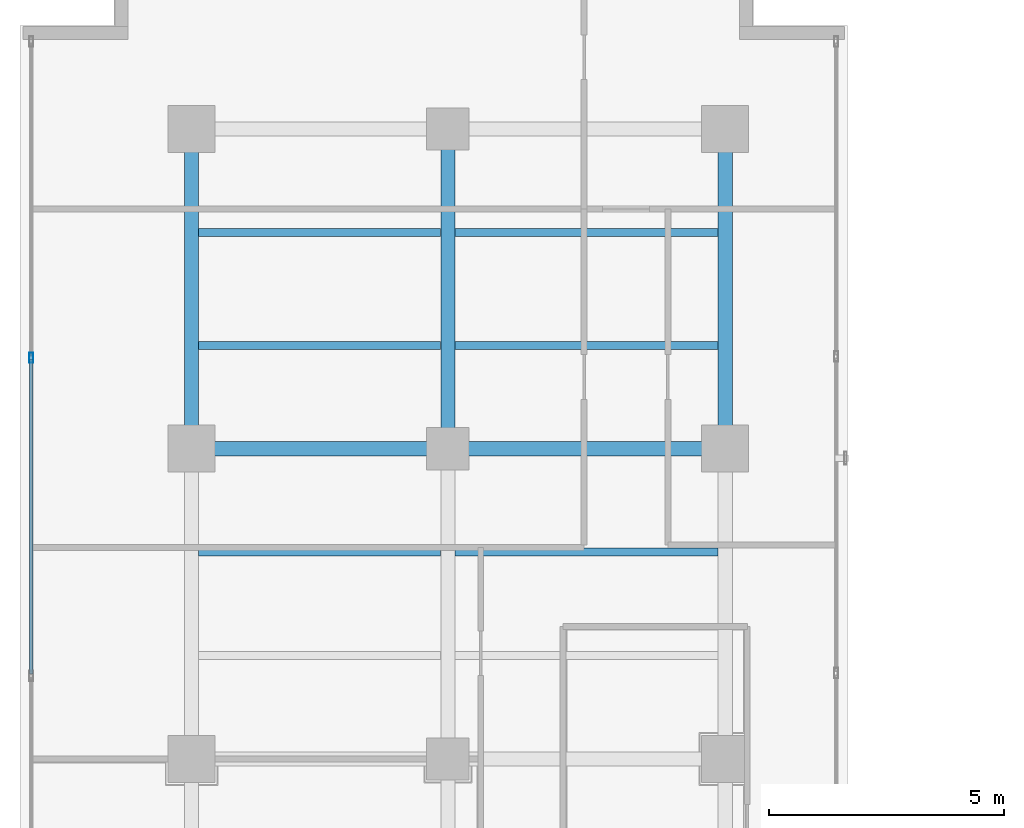
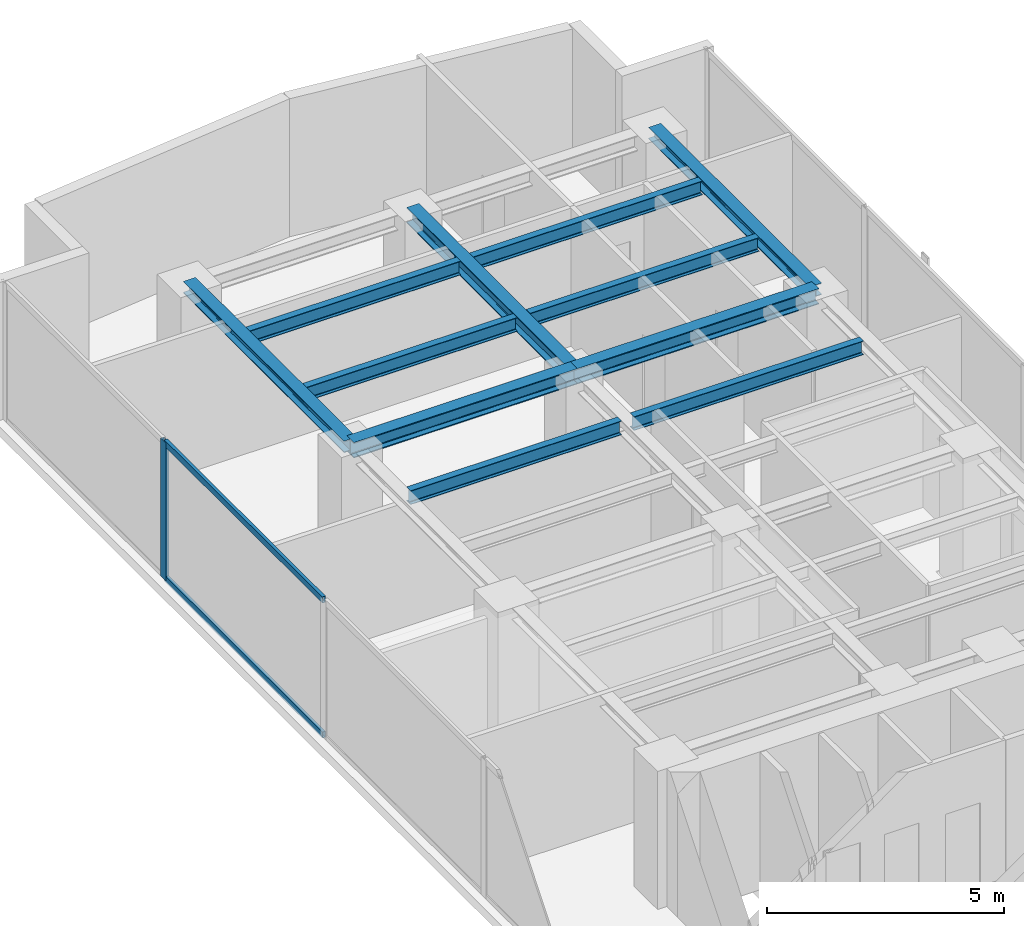
# One storey, part 13 of 25: 11 beams, 3 members, 1 element without a shape of its own.
"""IFC4 building model written with IfcOpenShell, lengths in metres."""

from ifc_helpers import new_model, si_unit, direction, frame, origin, origin_with_axes, origin_2d, place, context, subcontext, project, spatial, hollow_rectangle, i_section, extrude, source, transform, mapped, material, layer, layer_set, material_profile, profile_set, type_object, element, aggregate, save


model = new_model("IFC4")

# Units and contexts
model_context = context("Model", 3, precision=1e-05, world=origin(), true_north=direction((0.0, 1.0)))
body_context = subcontext(model_context, "Body", "Model", "MODEL_VIEW")
ifc_project = project(units=[si_unit("LENGTHUNIT", "METRE"), si_unit("AREAUNIT", "SQUARE_METRE"), si_unit("VOLUMEUNIT", "CUBIC_METRE"), si_unit("PLANEANGLEUNIT", "RADIAN"), si_unit("MASSUNIT", "GRAM", prefix="KILO")], contexts=[model_context])

# Site, building, storey
site_placement = place(None, origin())
site = spatial("IfcSite", under=ifc_project, at=site_placement, CompositionType="ELEMENT")
building_placement = place(site_placement, origin())
building = spatial("IfcBuilding", under=site, at=building_placement, Name="Kolvaren Waterfront Exchange", CompositionType="ELEMENT")
storey_placement = place(building_placement, frame((0.0, 0.0, 204.5)))
storey = spatial("IfcBuildingStorey", under=building, at=storey_placement, Name="L52", CompositionType="ELEMENT", Elevation=204.5)

# Beams
ifc_material_1 = material(Name="Steel S355", Category="steel")
ifc_material_profile_1 = material_profile(ifc_material_1, i_section(OverallWidth=0.300048828125, OverallDepth=0.300048828125, WebThickness=0.010986328125, FlangeThickness=0.01904296875, FilletRadius=0.027099609375, at=origin_2d()), Name="HEB300")
ifc_profile_set_1 = profile_set([ifc_material_profile_1], Name="Steel S355")
beam_type_1 = type_object("IfcBeamType", Name="STR-BM-HEB300", PredefinedType="SPANDREL", material=ifc_profile_set_1)
for number, where, z_axis, x_axis, name in (
    (1, (7.449951171875, 37.800048828125, 3.409912109375), (0.0, 1.0, 0.0), (-1.0, 0.0, 0.0), "L52 north-arm edge beam 3"),
    (2, (18.800048828125, 37.800048828125, 3.409912109375), (0.0, 1.0, 0.0), (-1.0, 0.0, 0.0), "L52 north-arm edge beam 3"),
):
    element("IfcBeam", number, at=place(storey_placement, frame(where, z_axis=z_axis, x_axis=x_axis)), inside=storey, type_object=beam_type_1, Name=name, PredefinedType="SPANDREL", context=body_context, shape_type="SweptSolid", body=[
        extrude(i_section(OverallWidth=0.300048828125, OverallDepth=0.300048828125, WebThickness=0.010986328125, FlangeThickness=0.01904296875, FilletRadius=0.027099609375, at=origin_2d()), origin(), (0.0, 0.0, 1.0), 6.800048828125),
    ])
ifc_material_profile_2 = material_profile(ifc_material_1, i_section(OverallWidth=0.300048828125, OverallDepth=0.39990234375, WebThickness=0.013427734375, FlangeThickness=0.02392578125, FilletRadius=0.027099609375, at=origin_2d()), Name="HEB400")
ifc_profile_set_2 = profile_set([ifc_material_profile_2], Name="Steel S355")
beam_type_2 = type_object("IfcBeamType", Name="STR-BM-HEB400", PredefinedType="BEAM", material=ifc_profile_set_2)
beam_1_placement = place(storey_placement, frame((7.449951171875, 37.800048828125, 3.360107421875), z_axis=(1.0, 0.0, 0.0), x_axis=(0.0, 1.0, 0.0)))
element("IfcBeam", 3, at=beam_1_placement, inside=storey, type_object=beam_type_2, Name="L52 north-arm girder 3A", PredefinedType="BEAM", context=body_context, shape_type="SweptSolid", body=[
    extrude(i_section(OverallWidth=0.300048828125, OverallDepth=0.39990234375, WebThickness=0.013427734375, FlangeThickness=0.02392578125, FilletRadius=0.027099609375, at=origin_2d()), origin(), (0.0, 0.0, 1.0), 5.449951171875),
])
beam_2_placement = place(storey_placement, frame((12.89990234375, 37.800048828125, 3.360107421875), z_axis=(1.0, 0.0, 0.0), x_axis=(0.0, 1.0, 0.0)))
element("IfcBeam", 4, at=beam_2_placement, inside=storey, type_object=beam_type_2, Name="L52 north-arm girder 3B", PredefinedType="BEAM", context=body_context, shape_type="SweptSolid", body=[
    extrude(i_section(OverallWidth=0.300048828125, OverallDepth=0.39990234375, WebThickness=0.013427734375, FlangeThickness=0.02392578125, FilletRadius=0.027099609375, at=origin_2d()), origin(), (0.0, 0.0, 1.0), 5.900146484375),
])
beam_3_placement = place(storey_placement, frame((12.89990234375, 37.800048828125, 3.360107421875), z_axis=(0.0, 1.0, 0.0), x_axis=(-1.0, 0.0, 0.0)))
element("IfcBeam", 5, at=beam_3_placement, inside=storey, type_object=beam_type_2, Name="L52 north-arm edge beam 3", PredefinedType="BEAM", context=body_context, shape_type="SweptSolid", body=[
    extrude(i_section(OverallWidth=0.300048828125, OverallDepth=0.39990234375, WebThickness=0.013427734375, FlangeThickness=0.02392578125, FilletRadius=0.027099609375, at=origin_2d()), origin(), (0.0, 0.0, 1.0), 6.800048828125),
])
ifc_material_profile_3 = material_profile(ifc_material_1, i_section(OverallWidth=0.169921875, OverallDepth=0.360107421875, WebThickness=0.008056640625, FlangeThickness=0.0126953125, FilletRadius=0.01806640625, at=origin_2d()), Name="IPE360")
ifc_profile_set_3 = profile_set([ifc_material_profile_3], Name="Steel S355")
beam_type_3 = type_object("IfcBeamType", Name="STR-BM-IPE360", PredefinedType="JOIST", material=ifc_profile_set_3)
beam_4_placement = place(storey_placement, frame((7.60205078125, 35.60009765625, 3.3798828125), z_axis=(1.0, 0.0, 0.0), x_axis=(0.0, 1.0, 0.0)))
element("IfcBeam", 6, at=beam_4_placement, inside=storey, type_object=beam_type_3, Name="L52 north-arm composite joist 4A", PredefinedType="JOIST", context=body_context, shape_type="SweptSolid", body=[
    extrude(i_section(OverallWidth=0.169921875, OverallDepth=0.360107421875, WebThickness=0.008056640625, FlangeThickness=0.0126953125, FilletRadius=0.01806640625, at=origin_2d()), origin(), (0.0, 0.0, 1.0), 5.14599609375),
])
beam_5_placement = place(storey_placement, frame((13.052001953125, 35.60009765625, 3.3798828125), z_axis=(1.0, 0.0, 0.0), x_axis=(0.0, 1.0, 0.0)))
element("IfcBeam", 7, at=beam_5_placement, inside=storey, type_object=beam_type_3, Name="L52 north-arm composite joist 4B", PredefinedType="JOIST", context=body_context, shape_type="SweptSolid", body=[
    extrude(i_section(OverallWidth=0.169921875, OverallDepth=0.360107421875, WebThickness=0.008056640625, FlangeThickness=0.0126953125, FilletRadius=0.01806640625, at=origin_2d()), origin(), (0.0, 0.0, 1.0), 5.595947265625),
])
beam_6_placement = place(storey_placement, frame((7.60205078125, 40.0, 3.3798828125), z_axis=(1.0, 0.0, 0.0), x_axis=(0.0, 1.0, 0.0)))
element("IfcBeam", 8, at=beam_6_placement, inside=storey, type_object=beam_type_3, Name="L52 north-arm composite joist 5A", PredefinedType="JOIST", context=body_context, shape_type="SweptSolid", body=[
    extrude(i_section(OverallWidth=0.169921875, OverallDepth=0.360107421875, WebThickness=0.008056640625, FlangeThickness=0.0126953125, FilletRadius=0.01806640625, at=origin_2d()), origin(), (0.0, 0.0, 1.0), 5.14599609375),
])
beam_7_placement = place(storey_placement, frame((13.052001953125, 40.0, 3.3798828125), z_axis=(1.0, 0.0, 0.0), x_axis=(0.0, 1.0, 0.0)))
element("IfcBeam", 9, at=beam_7_placement, inside=storey, type_object=beam_type_3, Name="L52 north-arm composite joist 5B", PredefinedType="JOIST", context=body_context, shape_type="SweptSolid", body=[
    extrude(i_section(OverallWidth=0.169921875, OverallDepth=0.360107421875, WebThickness=0.008056640625, FlangeThickness=0.0126953125, FilletRadius=0.01806640625, at=origin_2d()), origin(), (0.0, 0.0, 1.0), 5.595947265625),
])
beam_8_placement = place(storey_placement, frame((7.60205078125, 42.39990234375, 3.3798828125), z_axis=(1.0, 0.0, 0.0), x_axis=(0.0, 1.0, 0.0)))
element("IfcBeam", 10, at=beam_8_placement, inside=storey, type_object=beam_type_3, Name="L52 north-arm composite joist 6A", PredefinedType="JOIST", context=body_context, shape_type="SweptSolid", body=[
    extrude(i_section(OverallWidth=0.169921875, OverallDepth=0.360107421875, WebThickness=0.008056640625, FlangeThickness=0.0126953125, FilletRadius=0.01806640625, at=origin_2d()), origin(), (0.0, 0.0, 1.0), 5.14599609375),
])
beam_9_placement = place(storey_placement, frame((13.052001953125, 42.39990234375, 3.3798828125), z_axis=(1.0, 0.0, 0.0), x_axis=(0.0, 1.0, 0.0)))
element("IfcBeam", 11, at=beam_9_placement, inside=storey, type_object=beam_type_3, Name="L52 north-arm composite joist 6B", PredefinedType="JOIST", context=body_context, shape_type="SweptSolid", body=[
    extrude(i_section(OverallWidth=0.169921875, OverallDepth=0.360107421875, WebThickness=0.008056640625, FlangeThickness=0.0126953125, FilletRadius=0.01806640625, at=origin_2d()), origin(), (0.0, 0.0, 1.0), 5.595947265625),
])

# Curtain wall, members
ifc_material_2 = material(Name="Anodised aluminium 6063-T6", Category="aluminium")
ifc_layer = layer(ifc_material_2, 0.219970703125, Name="Anodised aluminium 6063-T6")
ifc_layer_set = layer_set([ifc_layer], Name="Anodised aluminium 6063-T6")
curtain_wall_type = type_object("IfcCurtainWallType", Name="ARC-CW-SYS2", PredefinedType="USERDEFINED", material=ifc_layer_set)
curtain_wall_placement = place(storey_placement, origin())
curtain_wall = element("IfcCurtainWall", 12, at=curtain_wall_placement, inside=storey, type_object=curtain_wall_type, Name="L52 stick curtain wall CW2 (CW-L52-W)", ObjectType="STICK CURTAIN WALL", PredefinedType="USERDEFINED")
ifc_material_profile_4 = material_profile(ifc_material_2, hollow_rectangle(XDim=0.080078125, YDim=0.219970703125, WallThickness=0.0048828125, at=origin_2d()), Name="ALU-MUL-220x80x5")
ifc_profile_set_4 = profile_set([ifc_material_profile_4], Name="Anodised aluminium 6063-T6")
member_type_1 = type_object("IfcMemberType", Name="ARC-CWM-220", PredefinedType="MULLION", material=ifc_profile_set_4)
shared_shape_1 = source(origin_with_axes(), body_context, "Body", "SweptSolid", [
    extrude(hollow_rectangle(XDim=0.080078125, YDim=0.219970703125, WallThickness=0.0048828125, at=origin_2d()), origin(), (0.0, 0.0, 1.0), 3.56005859375),
])
member_1_placement = place(storey_placement, frame((4.0400390625, 39.7333984375, 0.0), z_axis=(0.0, 0.0, 1.0), x_axis=(-1.0, 0.0, 0.0)))
member_1 = element("IfcMember", 13, at=member_1_placement, type_object=member_type_1, Name="CW2 mullion 6", PredefinedType="MULLION", context=body_context, shape_type="MappedRepresentation", body=[
    mapped(shared_shape_1, transform((0.0, 0.0, 0.0), x_axis=(1.0, 0.0, 0.0), y_axis=(0.0, 1.0, 0.0), z_axis=(0.0, 0.0, 1.0), scale=1.0)),
])
ifc_material_profile_5 = material_profile(ifc_material_2, hollow_rectangle(XDim=0.074951171875, YDim=0.159912109375, WallThickness=0.00439453125, at=origin_2d()), Name="ALU-TRN-160x75x4.5")
ifc_profile_set_5 = profile_set([ifc_material_profile_5], Name="Anodised aluminium 6063-T6")
member_type_2 = type_object("IfcMemberType", Name="ARC-CWT-160", PredefinedType="USERDEFINED", material=ifc_profile_set_5)
shared_shape_2 = source(origin_with_axes(), body_context, "Body", "SweptSolid", [
    extrude(hollow_rectangle(XDim=0.074951171875, YDim=0.159912109375, WallThickness=0.00439453125, at=origin_2d()), origin(), (0.0, 0.0, 1.0), 6.686767578125),
])
member_2_placement = place(storey_placement, frame((4.0400390625, 33.006591796875, 0.03759765625), z_axis=(0.0, 1.0, 0.0), x_axis=(-1.0, 0.0, 0.0)))
member_2 = element("IfcMember", 14, at=member_2_placement, type_object=member_type_2, Name="CW2 transom 5.1", ObjectType="TRANSOM", PredefinedType="USERDEFINED", context=body_context, shape_type="MappedRepresentation", body=[
    mapped(shared_shape_2, transform((0.0, 0.0, 0.0), x_axis=(1.0, 0.0, 0.0), y_axis=(0.0, 1.0, 0.0), z_axis=(0.0, 0.0, 1.0), scale=1.0)),
])
member_3_placement = place(storey_placement, frame((4.0400390625, 33.006591796875, 3.5224609375), z_axis=(0.0, 1.0, 0.0), x_axis=(-1.0, 0.0, 0.0)))
member_3 = element("IfcMember", 15, at=member_3_placement, type_object=member_type_2, Name="CW2 transom 5.2", ObjectType="TRANSOM", PredefinedType="USERDEFINED", context=body_context, shape_type="MappedRepresentation", body=[
    mapped(shared_shape_2, transform((0.0, 0.0, 0.0), x_axis=(1.0, 0.0, 0.0), y_axis=(0.0, 1.0, 0.0), z_axis=(0.0, 0.0, 1.0), scale=1.0)),
])
aggregate(curtain_wall, [member_1, member_2, member_3])

save(model, "model.ifc")
